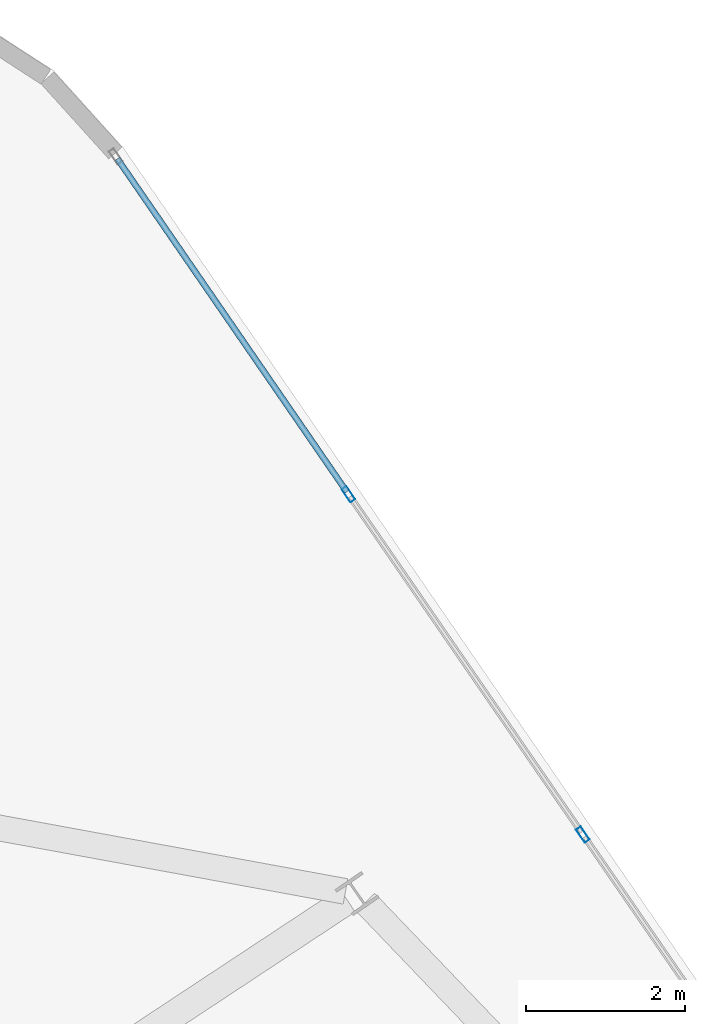
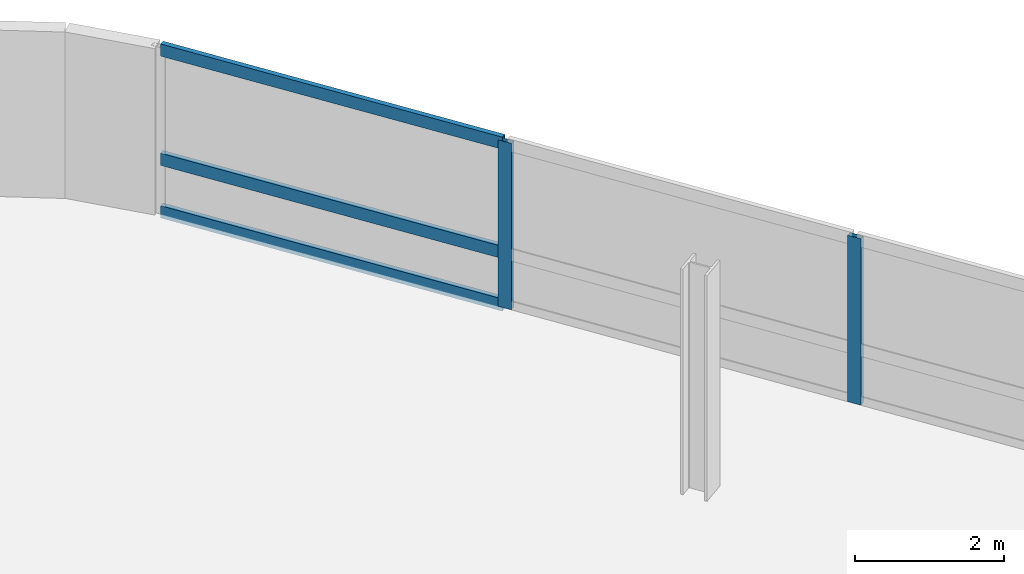
# One storey, part 10 of 22: 5 members, 1 element without a shape of its own.
"""IFC4 building model written with IfcOpenShell, lengths in metres."""

from ifc_helpers import new_model, si_unit, direction, frame, origin, origin_2d, place, context, subcontext, project, spatial, hollow_rectangle, extrude, material, layer, layer_set, material_profile, profile_set, type_object, element, aggregate, save


model = new_model("IFC4")

# Units and contexts
model_context = context("Model", 3, precision=1e-05, world=origin(), true_north=direction((0.0, 1.0)))
body_context = subcontext(model_context, "Body", "Model", "MODEL_VIEW")
ifc_project = project(units=[si_unit("LENGTHUNIT", "METRE"), si_unit("AREAUNIT", "SQUARE_METRE"), si_unit("VOLUMEUNIT", "CUBIC_METRE"), si_unit("PLANEANGLEUNIT", "RADIAN"), si_unit("MASSUNIT", "GRAM", prefix="KILO")], contexts=[model_context])

# Site, building, storey
site_placement = place(None, origin())
site = spatial("IfcSite", under=ifc_project, at=site_placement, CompositionType="ELEMENT")
building_placement = place(site_placement, origin())
building = spatial("IfcBuilding", under=site, at=building_placement, Name="Varnelok Gate Tower", CompositionType="ELEMENT")
storey_placement = place(building_placement, frame((0.0, 0.0, 284.10009765625)))
storey = spatial("IfcBuildingStorey", under=building, at=storey_placement, Name="L73", CompositionType="ELEMENT", Elevation=284.10009765625)

# Curtain wall, members
ifc_material = material(Name="Anodized Aluminum Alloy 6063-T6", Category="aluminium")
ifc_layer = layer(ifc_material, 0.179931640625)
ifc_layer_set = layer_set([ifc_layer], Name="Anodized Aluminum Alloy 6063-T6")
curtain_wall_type = type_object("IfcCurtainWallType", Name="CW6-CROWN-LOOKOUT", PredefinedType="USERDEFINED", material=ifc_layer_set)
curtain_wall_placement = place(storey_placement, origin())
curtain_wall = element("IfcCurtainWall", 1, at=curtain_wall_placement, inside=storey, type_object=curtain_wall_type, Name="L73 East End Vision Curtain Wall", ObjectType="STRUCTURAL GLAZING", PredefinedType="USERDEFINED")
ifc_material_profile_1 = material_profile(ifc_material, hollow_rectangle(XDim=0.074951171875, YDim=0.199951171875, WallThickness=0.00390625, at=origin_2d()), Name="ALU200X75X4")
ifc_profile_set_1 = profile_set([ifc_material_profile_1], Name="Anodized Aluminum Alloy 6063-T6")
member_type_1 = type_object("IfcMemberType", Name="CW-MULL-200", PredefinedType="MULLION", material=ifc_profile_set_1)
member_1_placement = place(storey_placement, frame((60.444091796875, 52.56201171875, 0.0), z_axis=(0.0, 0.0, 1.0), x_axis=(0.823532290241, 0.567269395376, 0.0)))
member_1 = element("IfcMember", 2, at=member_1_placement, type_object=member_type_1, Name="CW6 mullion 2", PredefinedType="MULLION", context=body_context, shape_type="SweptSolid", body=[
    extrude(hollow_rectangle(XDim=0.074951171875, YDim=0.199951171875, WallThickness=0.00390625, at=origin_2d()), origin(), (0.0, 0.0, 1.0), 2.72998046875),
])
member_2_placement = place(storey_placement, frame((63.393798828125, 48.279541015625, 0.0), z_axis=(0.0, 0.0, 1.0), x_axis=(0.823532290241, 0.567269395376, 0.0)))
member_2 = element("IfcMember", 3, at=member_2_placement, type_object=member_type_1, Name="CW6 mullion 3", PredefinedType="MULLION", context=body_context, shape_type="SweptSolid", body=[
    extrude(hollow_rectangle(XDim=0.074951171875, YDim=0.199951171875, WallThickness=0.00390625, at=origin_2d()), origin(), (0.0, 0.0, 1.0), 2.72998046875),
])
ifc_material_profile_2 = material_profile(ifc_material, hollow_rectangle(XDim=0.074951171875, YDim=0.199951171875, WallThickness=0.00390625, at=origin_2d()), Name="ALU200X75X4")
ifc_profile_set_2 = profile_set([ifc_material_profile_2], Name="Anodized Aluminum Alloy 6063-T6")
member_type_2 = type_object("IfcMemberType", Name="CW-TRAN-200", PredefinedType="USERDEFINED", material=ifc_profile_set_2)
member_3_placement = place(storey_placement, frame((57.536865234375, 56.782470703125, 0.037353515625), z_axis=(0.567239421236, -0.823552936365, 0.0), x_axis=(0.823552936365, 0.567239421236, 0.0)))
member_3 = element("IfcMember", 4, at=member_3_placement, type_object=member_type_2, Name="CW6 transom 1.1", ObjectType="TRANSOM", PredefinedType="USERDEFINED", context=body_context, shape_type="SweptSolid", body=[
    extrude(hollow_rectangle(XDim=0.074951171875, YDim=0.199951171875, WallThickness=0.00390625, at=origin_2d()), origin(), (0.0, 0.0, 1.0), 5.08740234375),
])
member_4_placement = place(storey_placement, frame((57.536865234375, 56.782470703125, 0.89990234375), z_axis=(0.567239421236, -0.823552936365, 0.0), x_axis=(0.823552936365, 0.567239421236, 0.0)))
member_4 = element("IfcMember", 5, at=member_4_placement, type_object=member_type_2, Name="CW6 transom 1.2", ObjectType="TRANSOM", PredefinedType="USERDEFINED", context=body_context, shape_type="SweptSolid", body=[
    extrude(hollow_rectangle(XDim=0.074951171875, YDim=0.199951171875, WallThickness=0.00390625, at=origin_2d()), origin(), (0.0, 0.0, 1.0), 5.08740234375),
])
member_5_placement = place(storey_placement, frame((57.536865234375, 56.782470703125, 2.6923828125), z_axis=(0.567239421236, -0.823552936365, 0.0), x_axis=(0.823552936365, 0.567239421236, 0.0)))
member_5 = element("IfcMember", 6, at=member_5_placement, type_object=member_type_2, Name="CW6 transom 1.3", ObjectType="TRANSOM", PredefinedType="USERDEFINED", context=body_context, shape_type="SweptSolid", body=[
    extrude(hollow_rectangle(XDim=0.074951171875, YDim=0.199951171875, WallThickness=0.00390625, at=origin_2d()), origin(), (0.0, 0.0, 1.0), 5.08740234375),
])
aggregate(curtain_wall, [member_1, member_2, member_3, member_4, member_5])

save(model, "model.ifc")
